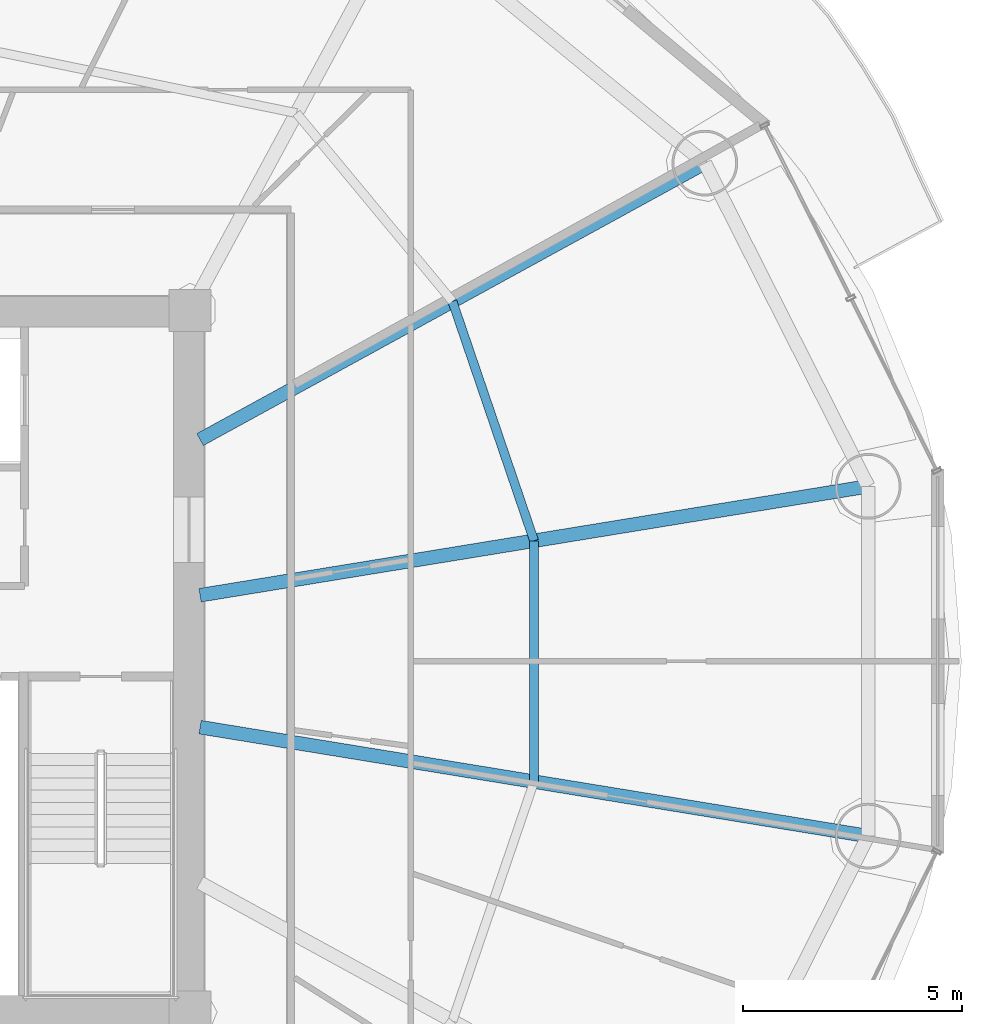
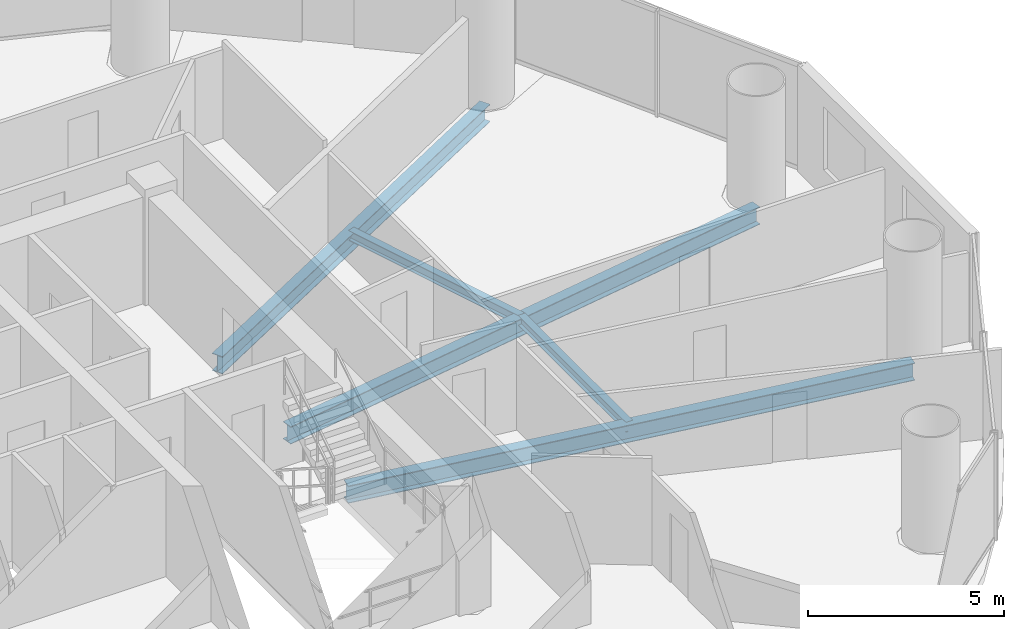
# One storey, part 14 of 29: 5 beams.
"""IFC4 building model written with IfcOpenShell, lengths in metres."""

import ifcopenshell
import ifcopenshell.guid

model = None  # the IFC model being written
_history = None  # IfcOwnerHistory: only IFC2X3 demands one
_inside = {}  # id of a spatial element -> (the spatial element, [elements in it])
_under = {}  # id of a project, library or spatial element -> (it, [spatial elements below it])
_declared = {}  # id of a project -> (the project, [libraries it declares])
_typed = {}  # id of a type object -> (the type object, [elements of that type])
_made_of = {}  # id of a material, layer set ... -> (it, [elements and type objects made of it])


def new_model(schema):
    """Start an empty IFC model of exactly this schema.

    Asked for "IFC4X3", IfcOpenShell would pick the latest addendum, in which some entities
    have other attributes; the version numbers below select the first issue.
    IFC2X3 requires an IfcOwnerHistory on every rooted entity: one is made here for all.
    """
    global model, _history
    if schema == "IFC4X3":
        model = ifcopenshell.file(schema_version=(4, 3, 0, 0))
    else:
        model = ifcopenshell.file(schema=schema)
    _inside.clear()
    _under.clear()
    _declared.clear()
    _typed.clear()
    _made_of.clear()
    _history = None
    if model.schema == "IFC2X3":
        org = make("IfcOrganization", Name="unknown")
        user = make(
            "IfcPersonAndOrganization",
            ThePerson=make("IfcPerson", FamilyName="unknown"),
            TheOrganization=org,
        )
        app = make(
            "IfcApplication",
            ApplicationDeveloper=org,
            Version="unknown",
            ApplicationFullName="unknown",
            ApplicationIdentifier="unknown",
        )
        _history = make(
            "IfcOwnerHistory",
            OwningUser=user,
            OwningApplication=app,
            ChangeAction="ADDED",
            CreationDate=0,
        )
    return model


def make(cls, **values):
    """One entity of the class cls with the attributes given. An attribute that is None is left unset."""
    return model.create_entity(
        cls, **{name: value for name, value in values.items() if value is not None}
    )


def rooted(cls, **values):
    """An entity with a GlobalId (a new one), such as an element, a storey or a relation."""
    return make(cls, GlobalId=ifcopenshell.guid.new(), OwnerHistory=_history, **values)


def si_unit(unit_type, name, prefix=None):
    """IfcSIUnit, for example si_unit("LENGTHUNIT", "METRE", prefix="MILLI")."""
    return make("IfcSIUnit", UnitType=unit_type, Prefix=prefix, Name=name)


def assignment(units):
    """IfcUnitAssignment: the units of a project."""
    return None if units is None else make("IfcUnitAssignment", Units=units)


def point(xyz):
    """IfcCartesianPoint."""
    return None if xyz is None else make("IfcCartesianPoint", Coordinates=xyz)


def direction(xyz):
    """IfcDirection."""
    return None if xyz is None else make("IfcDirection", DirectionRatios=xyz)


def frame(location, z_axis=None, x_axis=None):
    """IfcAxis2Placement3D, a coordinate frame: its origin and axes. An axis left out is left unset."""
    return make(
        "IfcAxis2Placement3D",
        Location=point(location),
        Axis=direction(z_axis),
        RefDirection=direction(x_axis),
    )


def frame_2d(location, x_axis=None):
    """IfcAxis2Placement2D, a coordinate frame in the plane: its origin and x axis."""
    return make(
        "IfcAxis2Placement2D", Location=point(location), RefDirection=direction(x_axis)
    )


def origin():
    """The frame at (0, 0, 0) with its axes left unset."""
    return frame((0.0, 0.0, 0.0))


def origin_2d():
    """The frame at (0, 0) in the plane with its x axis left unset."""
    return frame_2d((0.0, 0.0))


def place(relative_to, where):
    """IfcLocalPlacement: puts the frame where relative to a parent placement (None: the world)."""
    return make(
        "IfcLocalPlacement", PlacementRelTo=relative_to, RelativePlacement=where
    )


def context(
    kind, dimensions, precision=None, world=None, true_north=None, identifier=None
):
    """IfcGeometricRepresentationContext, for example the 3D "Model" context."""
    return make(
        "IfcGeometricRepresentationContext",
        ContextIdentifier=identifier,
        ContextType=kind,
        CoordinateSpaceDimension=dimensions,
        Precision=precision,
        WorldCoordinateSystem=world,
        TrueNorth=true_north,
    )


def subcontext(parent, identifier, kind, view, scale=None):
    """IfcGeometricRepresentationSubContext, for example "Body" below "Model"."""
    return make(
        "IfcGeometricRepresentationSubContext",
        ContextIdentifier=identifier,
        ContextType=kind,
        ParentContext=parent,
        TargetScale=scale,
        TargetView=view,
    )


def project(units=None, contexts=None):
    """IfcProject with its units and contexts."""
    return rooted(
        "IfcProject",
        Name="project",
        RepresentationContexts=contexts,
        UnitsInContext=assignment(units),
    )


def spatial(cls, under=None, at=None, **own):
    """A site, building, storey or space (cls), placed at a placement, below another one or the project."""
    s = rooted(cls, ObjectPlacement=at, **own)
    if under is not None:
        _under.setdefault(under.id(), (under, []))[1].append(s)
    return s


def profile(cls, at=None, kind="AREA", **sizes):
    """A parametric profile (cls). Its sizes go by their IFC names, for example OverallWidth=200.0."""
    return make(cls, ProfileType=kind, Position=at, **sizes)


def i_section(**sizes):
    """IfcIShapeProfileDef."""
    return profile("IfcIShapeProfileDef", **sizes)


def extrude(swept, where, along, depth):
    """IfcExtrudedAreaSolid: the profile swept, set in the frame where, extruded along a direction by depth."""
    return make(
        "IfcExtrudedAreaSolid",
        SweptArea=swept,
        Position=where,
        ExtrudedDirection=direction(along),
        Depth=depth,
    )


def shape(context_of_items, identifier, shape_type, items):
    """IfcShapeRepresentation: the items that make up one representation, for example the "Body"."""
    return make(
        "IfcShapeRepresentation",
        ContextOfItems=context_of_items,
        RepresentationIdentifier=identifier,
        RepresentationType=shape_type,
        Items=items,
    )


def material(Name=None, Category=None):
    """IfcMaterial."""
    return make("IfcMaterial", Name=Name, Category=Category)


def material_profile(
    of_material, cross_section, Name=None, Category=None, Priority=None
):
    """IfcMaterialProfile: a cross section and its material."""
    return make(
        "IfcMaterialProfile",
        Name=Name,
        Material=of_material,
        Profile=cross_section,
        Priority=Priority,
        Category=Category,
    )


def profile_set(profiles, Name=None, composite=None):
    """IfcMaterialProfileSet."""
    return make(
        "IfcMaterialProfileSet",
        Name=Name,
        MaterialProfiles=profiles,
        CompositeProfile=composite,
    )


def made_of(thing, what):
    """Note that an element or type object is made of a material, layer set ...; save() writes the relation."""
    if what is not None:
        _made_of.setdefault(what.id(), (what, []))[1].append(thing)
    return thing


def type_object(cls, material=None, **own):
    """A type object (cls), such as IfcWallType, which elements share."""
    return made_of(rooted(cls, **own), material)


def element(
    cls,
    number,
    at=None,
    inside=None,
    cuts=None,
    type_object=None,
    material=None,
    context=None,
    identifier="Body",
    shape_type=None,
    held_by="IfcProductDefinitionShape",
    body=None,
    shapes=None,
    **own,
):
    """One element of the class cls, such as IfcWall. Its Tag is "e" and its number.

    at: its placement. inside: the storey or other place that contains it. cuts: it is an
    opening in that element (IfcRelVoidsElement). A single representation is given by context,
    identifier, shape_type and body (its items); several are given by shapes. held_by: the class
    of the entity that holds the representations. save() writes the other relations.
    """
    e = rooted(cls, Tag="e%d" % number, ObjectPlacement=at, **own)
    if body is not None:
        shapes = [shape(context, identifier, shape_type, body)]
    if shapes is not None:
        e.Representation = make(held_by, Representations=shapes)
    if inside is not None:
        _inside.setdefault(inside.id(), (inside, []))[1].append(e)
    if cuts is not None:
        rooted(
            "IfcRelVoidsElement", RelatingBuildingElement=cuts, RelatedOpeningElement=e
        )
    if type_object is not None:
        _typed.setdefault(type_object.id(), (type_object, []))[1].append(e)
    return made_of(e, material)


def aggregate(whole, parts):
    """IfcRelAggregates: a whole, such as a stair, and the parts it consists of."""
    return rooted("IfcRelAggregates", RelatingObject=whole, RelatedObjects=parts)


def save(model, path):
    """Write the relations noted so far, then the file.

    IfcRelAggregates (storeys below a building ...), IfcRelContainedInSpatialStructure (elements
    in a storey), IfcRelDefinesByType, IfcRelAssociatesMaterial and IfcRelDeclares: one each for
    every whole, place, type object, material and project.
    """
    for whole, parts in _under.values():
        aggregate(whole, parts)
    for where, things in _inside.values():
        rooted(
            "IfcRelContainedInSpatialStructure",
            RelatedElements=things,
            RelatingStructure=where,
        )
    for kind, things in _typed.values():
        rooted("IfcRelDefinesByType", RelatedObjects=things, RelatingType=kind)
    for what, things in _made_of.values():
        rooted("IfcRelAssociatesMaterial", RelatedObjects=things, RelatingMaterial=what)
    for by, libraries in _declared.values():
        rooted("IfcRelDeclares", RelatingContext=by, RelatedDefinitions=libraries)
    model.write(path)


model = new_model("IFC4")

# Units and contexts
model_context = context("Model", 3, precision=1e-05, world=origin(), true_north=direction((-0.2419218956, 0.970295726276)))
body_context = subcontext(model_context, "Body", "Model", "MODEL_VIEW")
ifc_project = project(units=[si_unit("LENGTHUNIT", "METRE"), si_unit("AREAUNIT", "SQUARE_METRE"), si_unit("VOLUMEUNIT", "CUBIC_METRE"), si_unit("PLANEANGLEUNIT", "RADIAN"), si_unit("MASSUNIT", "GRAM", prefix="KILO")], contexts=[model_context])

# Site, building, storey
site_placement = place(None, origin())
site = spatial("IfcSite", under=ifc_project, at=site_placement, CompositionType="ELEMENT")
building_placement = place(site_placement, origin())
building = spatial("IfcBuilding", under=site, at=building_placement, Name="Cobrevalo Terracotta Tower", CompositionType="ELEMENT")
storey_placement = place(building_placement, frame((0.0, 0.0, 97.800048828125)))
storey = spatial("IfcBuildingStorey", under=building, at=storey_placement, Name="L25", CompositionType="ELEMENT", Elevation=97.800048828125)

# Beams
ifc_material = material(Name="Steel S355", Category="steel")
ifc_material_profile_1 = material_profile(ifc_material, i_section(OverallWidth=0.31201171875, OverallDepth=0.54296875, WebThickness=0.0126953125, FlangeThickness=0.020263671875, at=origin_2d()), Name="W 530x150")
ifc_profile_set_1 = profile_set([ifc_material_profile_1], Name="Steel S355")
beam_type_1 = type_object("IfcBeamType", Name="Structural Beam W 530x150 (Steel S355)", PredefinedType="BEAM", material=ifc_profile_set_1)
beam_1_placement = place(storey_placement, frame((62.470703125, 30.78955078125, -0.546630859375), z_axis=(-0.986970567439, -0.160900898101, 0.0), x_axis=(0.160900898101, -0.986970567439, 0.0)))
element("IfcBeam", 1, at=beam_1_placement, inside=storey, type_object=beam_type_1, Name="L25 radial floor girder 01", PredefinedType="BEAM", context=body_context, shape_type="SweptSolid", body=[
    extrude(i_section(OverallWidth=0.31201171875, OverallDepth=0.54296875, WebThickness=0.0126953125, FlangeThickness=0.020263671875, at=origin_2d()), origin(), (0.0, 0.0, 1.0), 15.44189453125),
])
beam_2_placement = place(storey_placement, frame((58.7451171875, 38.161376953125, -0.546630859375), z_axis=(-0.877080599376, -0.480343233738, 0.0), x_axis=(0.480343233738, -0.877080599376, 0.0)))
element("IfcBeam", 2, at=beam_2_placement, inside=storey, type_object=beam_type_1, Name="L25 radial floor girder 02", PredefinedType="BEAM", context=body_context, shape_type="SweptSolid", body=[
    extrude(i_section(OverallWidth=0.31201171875, OverallDepth=0.54296875, WebThickness=0.0126953125, FlangeThickness=0.020263671875, at=origin_2d()), origin(), (0.0, 0.0, 1.0), 13.12890625),
])
beam_3_placement = place(storey_placement, frame((62.470703125, 22.810302734375, -0.546630859375), z_axis=(-0.986968056587, 0.160916298977, 0.0), x_axis=(-0.160916298977, -0.986968056587, 0.0)))
element("IfcBeam", 3, at=beam_3_placement, inside=storey, type_object=beam_type_1, Name="L25 radial floor girder 16", PredefinedType="BEAM", context=body_context, shape_type="SweptSolid", body=[
    extrude(i_section(OverallWidth=0.31201171875, OverallDepth=0.54296875, WebThickness=0.0126953125, FlangeThickness=0.020263671875, at=origin_2d()), origin(), (0.0, 0.0, 1.0), 15.44189453125),
])
ifc_material_profile_2 = material_profile(ifc_material, i_section(OverallWidth=0.2041015625, OverallDepth=0.305908203125, WebThickness=0.008544921875, FlangeThickness=0.0146484375, at=origin_2d()), Name="W 310x67")
ifc_profile_set_2 = profile_set([ifc_material_profile_2], Name="Steel S355")
beam_type_2 = type_object("IfcBeamType", Name="Structural Joist W 310x67 (Steel S355)", PredefinedType="JOIST", material=ifc_profile_set_2)
beam_4_placement = place(storey_placement, frame((54.850341796875, 29.547119140625, -0.427978515625), z_axis=(-0.322833299398, 0.94645584197, 0.0), x_axis=(-0.94645584197, -0.322833299398, 0.0)))
element("IfcBeam", 4, at=beam_4_placement, inside=storey, type_object=beam_type_2, Name="L25 circumferential secondary floor joist 01", PredefinedType="JOIST", context=body_context, shape_type="SweptSolid", body=[
    extrude(i_section(OverallWidth=0.2041015625, OverallDepth=0.305908203125, WebThickness=0.008544921875, FlangeThickness=0.0146484375, at=origin_2d()), origin(), (0.0, 0.0, 1.0), 5.77001953125),
])
beam_5_placement = place(storey_placement, frame((54.850341796875, 24.052734375, -0.427978515625), z_axis=(0.0, 1.0, 0.0), x_axis=(-1.0, 0.0, 0.0)))
element("IfcBeam", 5, at=beam_5_placement, inside=storey, type_object=beam_type_2, Name="L25 circumferential secondary floor joist 16", PredefinedType="JOIST", context=body_context, shape_type="SweptSolid", body=[
    extrude(i_section(OverallWidth=0.2041015625, OverallDepth=0.305908203125, WebThickness=0.008544921875, FlangeThickness=0.0146484375, at=origin_2d()), origin(), (0.0, 0.0, 1.0), 5.494384765625),
])

save(model, "model.ifc")
